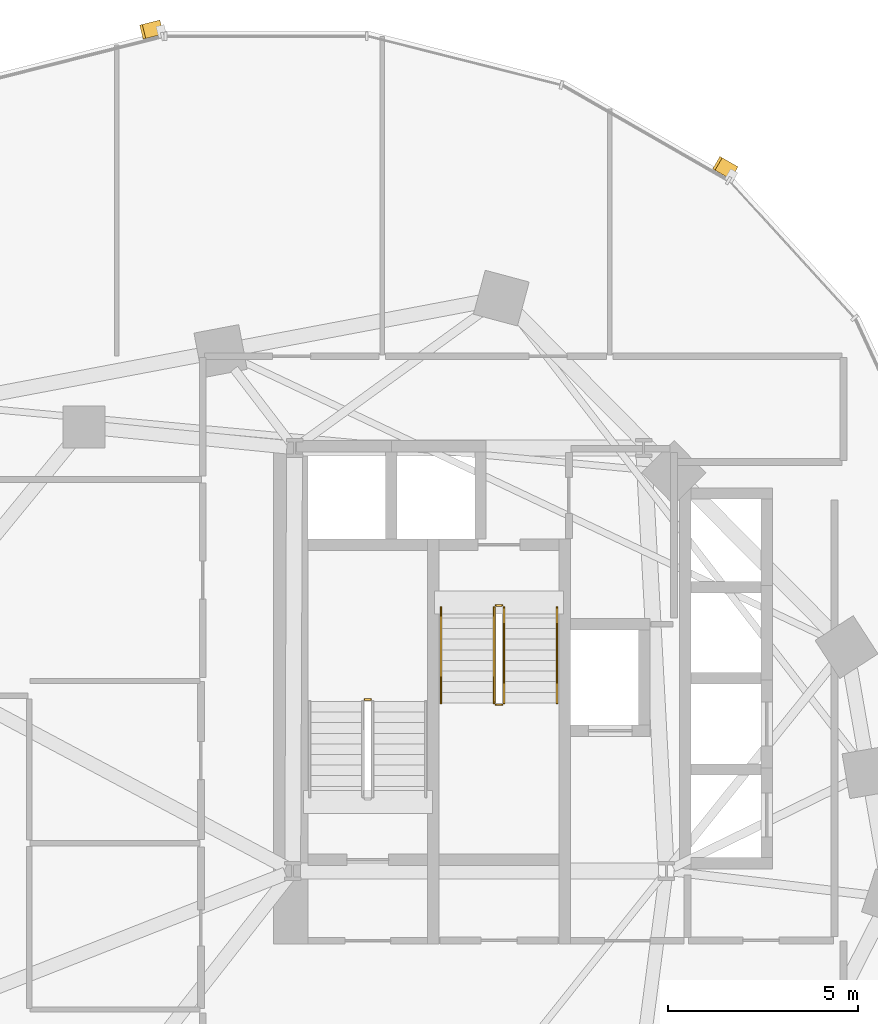
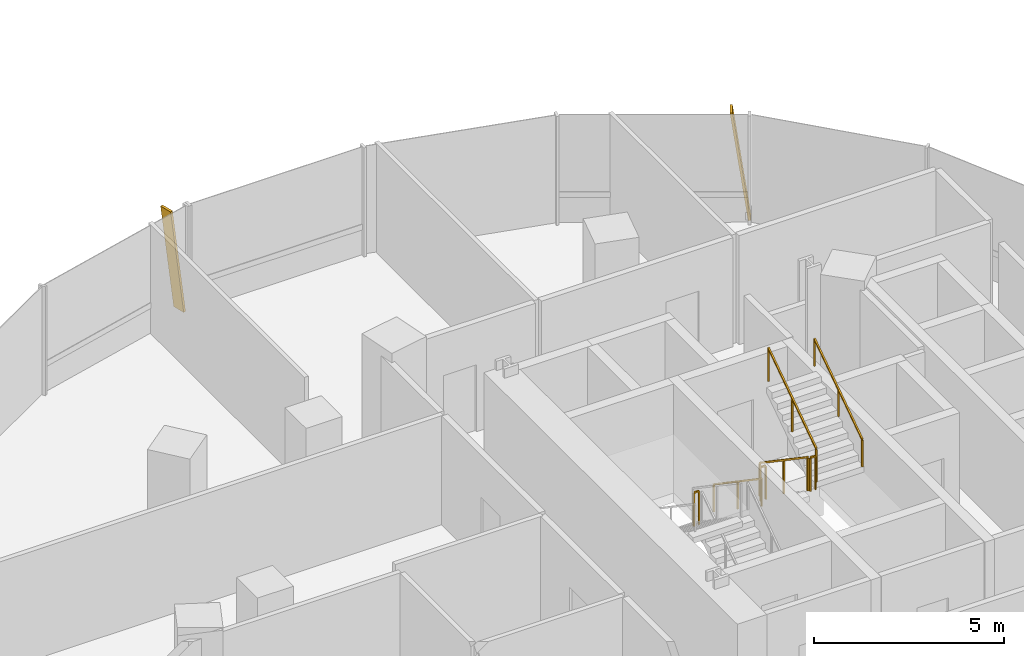
# One storey, part 20 of 22: 7 railings, 2 shading devices.
"""IFC4 building model written with IfcOpenShell, lengths in metres."""

from ifc_helpers import new_model, si_unit, direction, frame, origin, origin_2d, place, context, subcontext, project, spatial, rectangle, extrude, material, material_profile, profile_set, type_object, element, save


model = new_model("IFC4")

# Units and contexts
model_context = context("Model", 3, precision=1e-05, world=origin(), true_north=direction((0.0, 1.0)))
body_context = subcontext(model_context, "Body", "Model", "MODEL_VIEW")
ifc_project = project(units=[si_unit("LENGTHUNIT", "METRE"), si_unit("AREAUNIT", "SQUARE_METRE"), si_unit("VOLUMEUNIT", "CUBIC_METRE"), si_unit("PLANEANGLEUNIT", "RADIAN"), si_unit("MASSUNIT", "GRAM", prefix="KILO"), si_unit("THERMODYNAMICTEMPERATUREUNIT", "KELVIN"), si_unit("POWERUNIT", "WATT")], contexts=[model_context])

# Site, building, storey
site_placement = place(None, origin())
site = spatial("IfcSite", under=ifc_project, at=site_placement, CompositionType="ELEMENT")
building_placement = place(site_placement, origin())
building = spatial("IfcBuilding", under=site, at=building_placement, Name="Cundina Bronze Exchange", CompositionType="ELEMENT")
storey_placement = place(building_placement, frame((0.0, 0.0, 39.199951171875)))
storey = spatial("IfcBuildingStorey", under=building, at=storey_placement, Name="L09", CompositionType="ELEMENT", Elevation=39.199951171875)

# Railings
ifc_material_1 = material(Name="Steel ASTM A36 Painted", Category="steel")
railing_type_1 = type_object("IfcRailingType", Name="RLG-HND-900", PredefinedType="HANDRAIL", material=ifc_material_1)
railing_1_placement = place(storey_placement, frame((-27.389892578125, 10.85009765625, 0.18994140625)))
element("IfcRailing", 1, at=railing_1_placement, inside=storey, type_object=railing_type_1, Name="L09 ST-W2 stair handrail 1", PredefinedType="HANDRAIL", context=body_context, shape_type="SweptSolid", body=[
    extrude(rectangle(XDim=0.048095703125, YDim=0.048095703125, at=origin_2d()), frame((0.0, 0.0, 0.8759765625), z_axis=(0.0, -0.82744650838, 0.561544544778), x_axis=(1.0, 0.0, 0.0)), (0.0, 0.0, 1.0), 3.045654296875),
    extrude(rectangle(XDim=0.0419921875, YDim=0.0419921875, at=origin_2d()), origin(), (0.0, 0.0, 1.0), 0.851806640625),
    extrude(rectangle(XDim=0.0419921875, YDim=0.0419921875, at=origin_2d()), frame((0.0, -1.260009765625, 0.85498046875)), (0.0, 0.0, 1.0), 0.851806640625),
    extrude(rectangle(XDim=0.0419921875, YDim=0.0419921875, at=origin_2d()), frame((0.0, -2.52001953125, 1.710205078125)), (0.0, 0.0, 1.0), 0.851806640625),
])
railing_2_placement = place(storey_placement, frame((-24.330078125, 8.330078125, 2.090087890625)))
element("IfcRailing", 2, at=railing_2_placement, inside=storey, type_object=railing_type_1, Name="L09 ST-W2 stair handrail 2", PredefinedType="HANDRAIL", context=body_context, shape_type="SweptSolid", body=[
    extrude(rectangle(XDim=0.048095703125, YDim=0.048095703125, at=origin_2d()), frame((0.0, 0.0, 0.8759765625), z_axis=(0.0, 0.827483756001, 0.561489655786), x_axis=(-1.0, 0.0, 0.0)), (0.0, 0.0, 1.0), 3.04541015625),
    extrude(rectangle(XDim=0.0419921875, YDim=0.0419921875, at=origin_2d()), origin(), (0.0, 0.0, 1.0), 0.851806640625),
    extrude(rectangle(XDim=0.0419921875, YDim=0.0419921875, at=origin_2d()), frame((0.0, 1.260009765625, 0.85498046875)), (0.0, 0.0, 1.0), 0.851806640625),
    extrude(rectangle(XDim=0.0419921875, YDim=0.0419921875, at=origin_2d()), frame((0.0, 2.52001953125, 1.7099609375)), (0.0, 0.0, 1.0), 0.851806640625),
])
railing_type_2 = type_object("IfcRailingType", Name="RLG-STG-1100", PredefinedType="GUARDRAIL", material=ifc_material_1)
railing_3_placement = place(storey_placement, frame((-29.239990234375, 8.419921875, 1.900146484375)))
element("IfcRailing", 3, at=railing_3_placement, inside=storey, type_object=railing_type_2, Name="L09 ST-W1 stair guard 2", PredefinedType="GUARDRAIL", context=body_context, shape_type="SweptSolid", body=[
    extrude(rectangle(XDim=0.048095703125, YDim=0.048095703125, at=origin_2d()), frame((0.0, 0.0, 1.076171875), z_axis=(-1.0, 0.0, 0.0), x_axis=(0.0, -1.0, 0.0)), (0.0, 0.0, 1.0), 0.159912109375),
    extrude(rectangle(XDim=0.0419921875, YDim=0.0419921875, at=origin_2d()), origin(), (0.0, 0.0, 1.0), 1.052001953125),
    extrude(rectangle(XDim=0.0419921875, YDim=0.0419921875, at=origin_2d()), frame((-0.159912109375, 0.0, 0.0)), (0.0, 0.0, 1.0), 1.052001953125),
])
railing_4_placement = place(storey_placement, frame((-25.989990234375, 10.85009765625, 0.18994140625)))
element("IfcRailing", 4, at=railing_4_placement, inside=storey, type_object=railing_type_2, Name="L09 ST-W2 stair guard 1", PredefinedType="GUARDRAIL", context=body_context, shape_type="SweptSolid", body=[
    extrude(rectangle(XDim=0.048095703125, YDim=0.048095703125, at=origin_2d()), frame((0.0, 0.0, 1.076171875), z_axis=(0.0, -0.82744650838, 0.561544544778), x_axis=(1.0, 0.0, 0.0)), (0.0, 0.0, 1.0), 3.045654296875),
    extrude(rectangle(XDim=0.0419921875, YDim=0.0419921875, at=origin_2d()), origin(), (0.0, 0.0, 1.0), 1.052001953125),
    extrude(rectangle(XDim=0.0419921875, YDim=0.0419921875, at=origin_2d()), frame((0.0, -1.260009765625, 0.85498046875)), (0.0, 0.0, 1.0), 1.052001953125),
    extrude(rectangle(XDim=0.0419921875, YDim=0.0419921875, at=origin_2d()), frame((0.0, -2.52001953125, 1.710205078125)), (0.0, 0.0, 1.0), 1.052001953125),
])
railing_5_placement = place(storey_placement, frame((-25.93994140625, 8.280029296875, 1.900146484375)))
element("IfcRailing", 5, at=railing_5_placement, inside=storey, type_object=railing_type_2, Name="L09 ST-W2 stair guard 2", PredefinedType="GUARDRAIL", context=body_context, shape_type="SweptSolid", body=[
    extrude(rectangle(XDim=0.048095703125, YDim=0.048095703125, at=origin_2d()), frame((0.0, 0.0, 1.076171875), z_axis=(1.0, 0.0, 0.0), x_axis=(0.0, 1.0, 0.0)), (0.0, 0.0, 1.0), 0.159912109375),
    extrude(rectangle(XDim=0.0419921875, YDim=0.0419921875, at=origin_2d()), origin(), (0.0, 0.0, 1.0), 1.052001953125),
    extrude(rectangle(XDim=0.0419921875, YDim=0.0419921875, at=origin_2d()), frame((0.159912109375, 0.0, 0.0)), (0.0, 0.0, 1.0), 1.052001953125),
])
railing_6_placement = place(storey_placement, frame((-25.72998046875, 8.330078125, 2.090087890625)))
element("IfcRailing", 6, at=railing_6_placement, inside=storey, type_object=railing_type_2, Name="L09 ST-W2 stair guard 3", PredefinedType="GUARDRAIL", context=body_context, shape_type="SweptSolid", body=[
    extrude(rectangle(XDim=0.048095703125, YDim=0.048095703125, at=origin_2d()), frame((0.0, 0.0, 1.076171875), z_axis=(0.0, 0.827483756001, 0.561489655786), x_axis=(-1.0, 0.0, 0.0)), (0.0, 0.0, 1.0), 3.04541015625),
    extrude(rectangle(XDim=0.0419921875, YDim=0.0419921875, at=origin_2d()), origin(), (0.0, 0.0, 1.0), 1.052001953125),
    extrude(rectangle(XDim=0.0419921875, YDim=0.0419921875, at=origin_2d()), frame((0.0, 1.260009765625, 0.85498046875)), (0.0, 0.0, 1.0), 1.052001953125),
    extrude(rectangle(XDim=0.0419921875, YDim=0.0419921875, at=origin_2d()), frame((0.0, 2.52001953125, 1.7099609375)), (0.0, 0.0, 1.0), 1.052001953125),
])
railing_7_placement = place(storey_placement, frame((-25.93994140625, 10.89990234375, 0.0)))
element("IfcRailing", 7, at=railing_7_placement, inside=storey, type_object=railing_type_2, Name="L09 ST-W2 stair guard 4", PredefinedType="GUARDRAIL", context=body_context, shape_type="SweptSolid", body=[
    extrude(rectangle(XDim=0.048095703125, YDim=0.048095703125, at=origin_2d()), frame((0.0, 0.0, 1.076171875), z_axis=(1.0, 0.0, 0.0), x_axis=(0.0, 1.0, 0.0)), (0.0, 0.0, 1.0), 0.159912109375),
    extrude(rectangle(XDim=0.0419921875, YDim=0.0419921875, at=origin_2d()), origin(), (0.0, 0.0, 1.0), 1.052001953125),
    extrude(rectangle(XDim=0.0419921875, YDim=0.0419921875, at=origin_2d()), frame((0.159912109375, 0.0, 0.0)), (0.0, 0.0, 1.0), 1.052001953125),
])

# Shading devices
ifc_material_2 = material(Name="Anodised Bronze Aluminium 6063-T6", Category="aluminium")
ifc_material_profile = material_profile(ifc_material_2, rectangle(XDim=0.070068359375, YDim=0.3798828125, at=origin_2d()), Name="FIN70X380", Category="aluminium")
ifc_profile_set = profile_set([ifc_material_profile], Name="Anodised Bronze Aluminium 6063-T6")
shading_device_type = type_object("IfcShadingDeviceType", Name="SHD-FIN-BRZ380", PredefinedType="USERDEFINED", material=ifc_profile_set)
for number, where, z_axis, x_axis, name in (
    (8, (-19.685791015625, 22.314208984375, 0.02001953125), (-0.119166378275, 0.06842456559, 0.990513731915), (0.85898178632, -0.493221799887, 0.137413779831), "L09 Diagonal Bronze Solar Fin 5"),
    (9, (-34.787353515625, 26.138427734375, 0.02001953125), (-0.133214830938, -0.033688115694, 0.990514472221), (0.960284642503, 0.242842181368, 0.137408443412), "L09 Diagonal Bronze Solar Fin 1"),
):
    element("IfcShadingDevice", number, at=place(storey_placement, frame(where, z_axis=z_axis, x_axis=x_axis)), inside=storey, type_object=shading_device_type, Name=name, ObjectType="FIN", PredefinedType="USERDEFINED", context=body_context, shape_type="SweptSolid", body=[
        extrude(rectangle(XDim=0.070068359375, YDim=0.3798828125, at=origin_2d()), origin(), (0.0, 0.0, 1.0), 3.4931640625),
    ])

save(model, "model.ifc")
